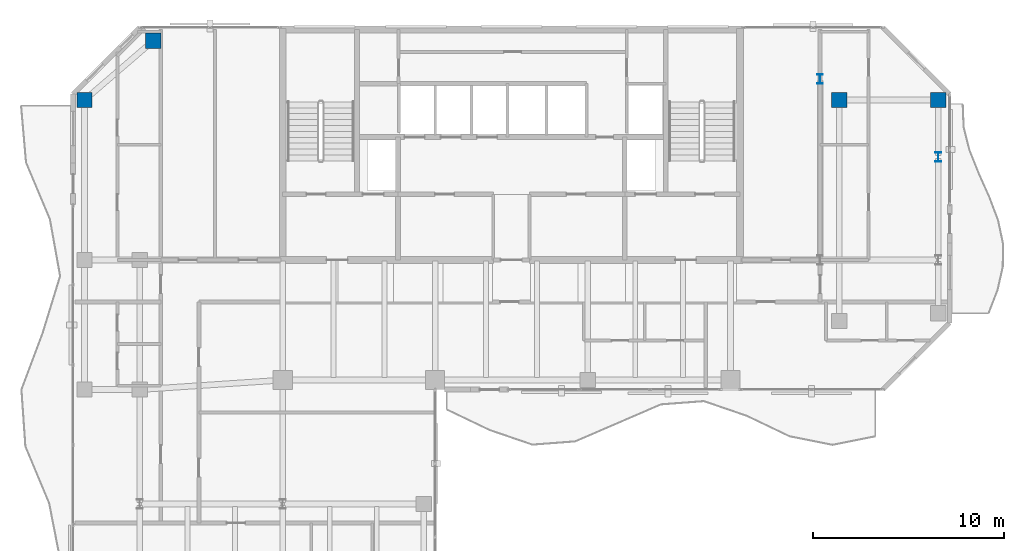
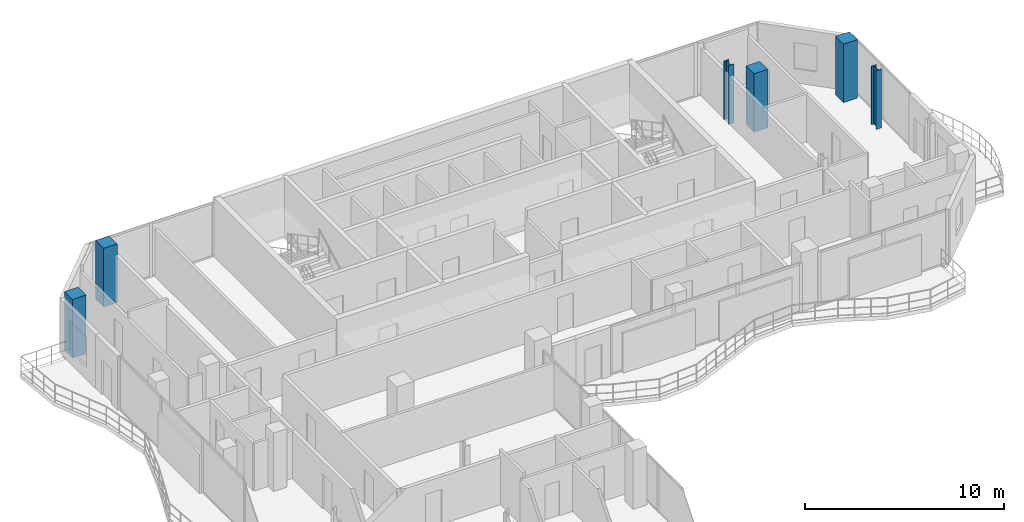
# One storey, part 2 of 23: 6 columns.
"""IFC4 building model written with IfcOpenShell, lengths in metres."""

from ifc_helpers import new_model, si_unit, direction, frame, origin, origin_2d, place, context, subcontext, project, spatial, rectangle, i_section, extrude, material, material_profile, profile_set, type_object, element, save


model = new_model("IFC4")

# Units and contexts
model_context = context("Model", 3, precision=1e-05, world=origin(), true_north=direction((0.0, 1.0)))
body_context = subcontext(model_context, "Body", "Model", "MODEL_VIEW")
ifc_project = project(units=[si_unit("LENGTHUNIT", "METRE"), si_unit("AREAUNIT", "SQUARE_METRE"), si_unit("VOLUMEUNIT", "CUBIC_METRE"), si_unit("PLANEANGLEUNIT", "RADIAN"), si_unit("MASSUNIT", "GRAM", prefix="KILO")], contexts=[model_context])

# Site, building, storey
site_placement = place(None, origin())
site = spatial("IfcSite", under=ifc_project, at=site_placement, CompositionType="ELEMENT")
building_placement = place(site_placement, origin())
building = spatial("IfcBuilding", under=site, at=building_placement, Name="Catumbela Crestline Tower", CompositionType="ELEMENT")
storey_placement = place(building_placement, frame((0.0, 0.0, 186.6)))
storey = spatial("IfcBuildingStorey", under=building, at=storey_placement, Name="L48", CompositionType="ELEMENT", Elevation=186.6)

# Columns
ifc_material_1 = material(Name="Concrete C50/60", Category="concrete")
ifc_material_profile_1 = material_profile(ifc_material_1, rectangle(XDim=0.8, YDim=0.8, at=origin_2d()), Name="RC 800x800")
ifc_profile_set_1 = profile_set([ifc_material_profile_1], Name="Concrete C50/60")
column_type_1 = type_object("IfcColumnType", Name="C-RC800-C50", PredefinedType="COLUMN", material=ifc_profile_set_1)
for number, where, z_axis, x_axis, name in (
    (1, (5.6, 39.2, 0.0), (0.0, 0.0, 1.0), (1.0, 0.0, 0.0), "L48 Column C-05-43 (RC 800x800)"),
    (2, (9.2, 42.3, 0.0), (0.0, 0.0, 1.0), (1.0, 0.0, 0.0), "L48 Column C-08-43 (RC 800x800)"),
    (3, (45.2, 39.2, 0.0), (0.0, 0.0, 1.0), (1.0, 0.0, 0.0), "L48 Column C-46-43 (RC 800x800)"),
    (4, (50.4, 39.2, 0.0), (0.0, 0.0, 1.0), (1.0, 0.0, 0.0), "L48 Column C-51-43 (RC 800x800)"),
):
    element("IfcColumn", number, at=place(storey_placement, frame(where, z_axis=z_axis, x_axis=x_axis)), inside=storey, type_object=column_type_1, Name=name, PredefinedType="COLUMN", context=body_context, shape_type="SweptSolid", body=[
        extrude(rectangle(XDim=0.8, YDim=0.8, at=origin_2d()), origin(), (0.0, 0.0, 1.0), 3.6),
    ])
ifc_material_2 = material(Name="Structural steel S355J2", Category="steel")
ifc_material_profile_2 = material_profile(ifc_material_2, i_section(OverallWidth=0.3, OverallDepth=0.5, WebThickness=0.0145, FlangeThickness=0.028, FilletRadius=0.027, at=origin_2d()), Name="HEB 500")
ifc_profile_set_2 = profile_set([ifc_material_profile_2], Name="Structural steel S355J2")
column_type_2 = type_object("IfcColumnType", Name="C-ST-HEB500", PredefinedType="COLUMN", material=ifc_profile_set_2)
for number, where, z_axis, x_axis, name in (
    (5, (44.2, 40.3, 0.0), (0.0, 0.0, 1.0), (1.0, 0.0, 0.0), "L48 Column CT-46-37 (HEB 500)"),
    (6, (50.4, 36.2, 0.0), (0.0, 0.0, 1.0), (1.0, 0.0, 0.0), "L48 Column CT-51-37 (HEB 500)"),
):
    element("IfcColumn", number, at=place(storey_placement, frame(where, z_axis=z_axis, x_axis=x_axis)), inside=storey, type_object=column_type_2, Name=name, PredefinedType="COLUMN", context=body_context, shape_type="SweptSolid", body=[
        extrude(i_section(OverallWidth=0.3, OverallDepth=0.5, WebThickness=0.0145, FlangeThickness=0.028, FilletRadius=0.027, at=origin_2d()), origin(), (0.0, 0.0, 1.0), 3.6),
    ])

save(model, "model.ifc")
